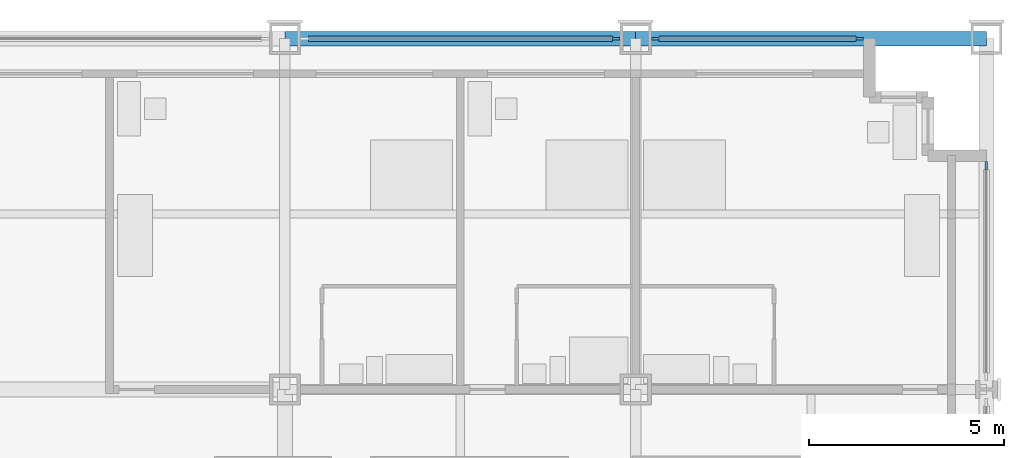
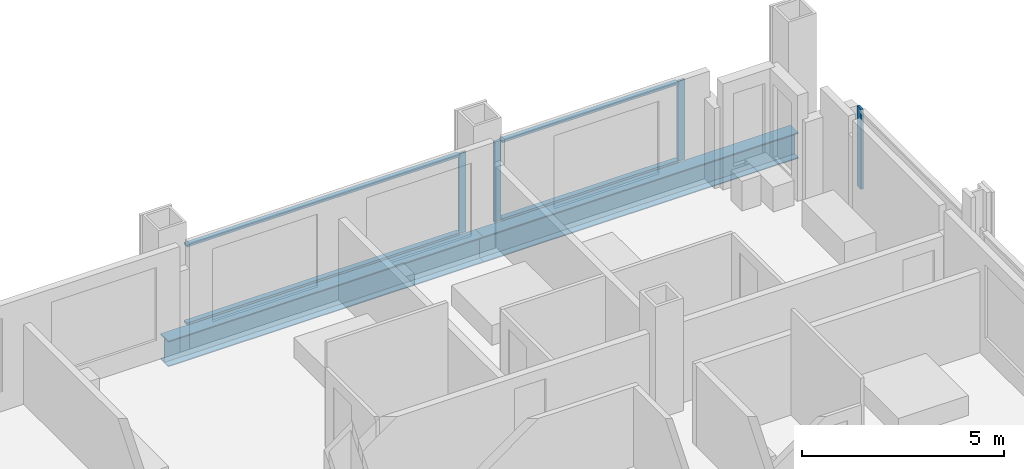
# One storey, part 8 of 18: 8 members, 2 beams, 3 elements without a shape of their own.
"""IFC4 building model written with IfcOpenShell, lengths in metres."""

from ifc_helpers import new_model, si_unit, direction, frame, origin, origin_2d, place, context, subcontext, project, spatial, rectangle, i_section, extrude, material, material_profile, profile_set, type_object, element, aggregate, save


model = new_model("IFC4")

# Units and contexts
model_context = context("Model", 3, precision=1e-05, world=origin(), true_north=direction((0.0, 1.0)))
body_context = subcontext(model_context, "Body", "Model", "MODEL_VIEW")
ifc_project = project(units=[si_unit("LENGTHUNIT", "METRE"), si_unit("AREAUNIT", "SQUARE_METRE"), si_unit("VOLUMEUNIT", "CUBIC_METRE"), si_unit("PLANEANGLEUNIT", "RADIAN"), si_unit("MASSUNIT", "GRAM", prefix="KILO")], contexts=[model_context])

# Site, building, storey
site_placement = place(None, origin())
site = spatial("IfcSite", under=ifc_project, at=site_placement, CompositionType="ELEMENT")
building_placement = place(site_placement, origin())
building = spatial("IfcBuilding", under=site, at=building_placement, Name="Loomwork Tower", CompositionType="ELEMENT")
storey_placement = place(building_placement, frame((0.0, 0.0, 62.0)))
storey = spatial("IfcBuildingStorey", under=building, at=storey_placement, Name="L15", CompositionType="ELEMENT", Elevation=62.0)

# Curtain wall, member
ifc_material_1 = material(Name="Aluminium curtain wall frame", Category="aluminium")
curtain_wall_type = type_object("IfcCurtainWallType", Name="Outer skin glazing hotel", PredefinedType="NOTDEFINED", material=ifc_material_1)
curtain_wall_1_placement = place(storey_placement, origin())
curtain_wall_1 = element("IfcCurtainWall", 1, at=curtain_wall_1_placement, inside=storey, type_object=curtain_wall_type, Name="Outer skin glazing hotel cw/N-36", PredefinedType="NOTDEFINED")
ifc_material_2 = material(Name="Aluminium curtain wall frame", Category="aluminium")
ifc_material_profile_1 = material_profile(ifc_material_2, rectangle(XDim=0.06494140625, YDim=0.199951171875, at=origin_2d()), Name="AL 65x200")
ifc_profile_set_1 = profile_set([ifc_material_profile_1], Name="Aluminium curtain wall frame")
member_type_1 = type_object("IfcMemberType", Name="Outer skin glazing hotel mullion", PredefinedType="MULLION", material=ifc_profile_set_1)
member_1_placement = place(storey_placement, frame((44.5, 36.0, 0.0), z_axis=(0.0, 0.0, 1.0), x_axis=(0.0, -1.0, 0.0)))
member_1 = element("IfcMember", 2, at=member_1_placement, type_object=member_type_1, Name="CW1 mullion 1", PredefinedType="MULLION", context=body_context, shape_type="SweptSolid", body=[
    extrude(rectangle(XDim=0.06494140625, YDim=0.199951171875, at=origin_2d()), origin(), (0.0, 0.0, 1.0), 2.420166015625),
])

# Curtain wall, members
curtain_wall_2_placement = place(storey_placement, origin())
curtain_wall_2 = element("IfcCurtainWall", 3, at=curtain_wall_2_placement, inside=storey, type_object=curtain_wall_type, Name="Outer skin glazing hotel cw/N-45", PredefinedType="NOTDEFINED")
member_2_placement = place(storey_placement, frame((50.75, 36.0, 0.0), z_axis=(0.0, 0.0, 1.0), x_axis=(0.0, -1.0, 0.0)))
member_2 = element("IfcMember", 4, at=member_2_placement, type_object=member_type_1, Name="CW1 mullion 1", PredefinedType="MULLION", context=body_context, shape_type="SweptSolid", body=[
    extrude(rectangle(XDim=0.06494140625, YDim=0.199951171875, at=origin_2d()), origin(), (0.0, 0.0, 1.0), 2.420166015625),
])
member_3_placement = place(storey_placement, frame((45.5, 36.0, 0.0), z_axis=(0.0, 0.0, 1.0), x_axis=(0.0, -1.0, 0.0)))
member_3 = element("IfcMember", 5, at=member_3_placement, type_object=member_type_1, Name="CW1 mullion 2", PredefinedType="MULLION", context=body_context, shape_type="SweptSolid", body=[
    extrude(rectangle(XDim=0.06494140625, YDim=0.199951171875, at=origin_2d()), origin(), (0.0, 0.0, 1.0), 2.420166015625),
])

# Curtain wall, member
curtain_wall_3_placement = place(storey_placement, origin())
curtain_wall_3 = element("IfcCurtainWall", 6, at=curtain_wall_3_placement, inside=storey, type_object=curtain_wall_type, Name="Outer skin glazing hotel cw/E-27", PredefinedType="NOTDEFINED")
member_4_placement = place(storey_placement, frame((54.0, 32.75, 0.0), z_axis=(0.0, 0.0, 1.0), x_axis=(-1.0, 0.0, 0.0)))
member_4 = element("IfcMember", 7, at=member_4_placement, type_object=member_type_1, Name="CW1 mullion 2", PredefinedType="MULLION", context=body_context, shape_type="SweptSolid", body=[
    extrude(rectangle(XDim=0.06494140625, YDim=0.199951171875, at=origin_2d()), origin(), (0.0, 0.0, 1.0), 2.420166015625),
])
aggregate(curtain_wall_3, [member_4])

# Member
ifc_material_3 = material(Name="Aluminium curtain wall frame", Category="aluminium")
ifc_material_profile_2 = material_profile(ifc_material_3, rectangle(XDim=0.14990234375, YDim=0.06494140625, at=origin_2d()), Name="AL 65x150")
ifc_profile_set_2 = profile_set([ifc_material_profile_2], Name="Aluminium curtain wall frame")
member_type_2 = type_object("IfcMemberType", Name="Outer skin glazing hotel transom", PredefinedType="USERDEFINED", material=ifc_profile_set_2)
member_5_placement = place(storey_placement, frame((44.39990234375, 36.0, 0.032470703125), z_axis=(-1.0, 0.0, 0.0), x_axis=(0.0, -1.0, 0.0)))
member_5 = element("IfcMember", 8, at=member_5_placement, type_object=member_type_2, Name="CW1 transom 1.1", ObjectType="TRANSOM", PredefinedType="USERDEFINED", context=body_context, shape_type="SweptSolid", body=[
    extrude(rectangle(XDim=0.14990234375, YDim=0.06494140625, at=origin_2d()), origin(), (0.0, 0.0, 1.0), 7.7998046875),
])

member_6_placement = place(storey_placement, frame((44.39990234375, 36.0, 2.3876953125), z_axis=(-1.0, 0.0, 0.0), x_axis=(0.0, -1.0, 0.0)))
member_6 = element("IfcMember", 9, at=member_6_placement, type_object=member_type_2, Name="CW1 transom 1.2", ObjectType="TRANSOM", PredefinedType="USERDEFINED", context=body_context, shape_type="SweptSolid", body=[
    extrude(rectangle(XDim=0.14990234375, YDim=0.06494140625, at=origin_2d()), origin(), (0.0, 0.0, 1.0), 7.7998046875),
])

aggregate(curtain_wall_1, [member_1, member_5, member_6])

member_7_placement = place(storey_placement, frame((50.64990234375, 36.0, 0.032470703125), z_axis=(-1.0, 0.0, 0.0), x_axis=(0.0, -1.0, 0.0)))
member_7 = element("IfcMember", 10, at=member_7_placement, type_object=member_type_2, Name="CW1 transom 1.1", ObjectType="TRANSOM", PredefinedType="USERDEFINED", context=body_context, shape_type="SweptSolid", body=[
    extrude(rectangle(XDim=0.14990234375, YDim=0.06494140625, at=origin_2d()), origin(), (0.0, 0.0, 1.0), 5.0498046875),
])

member_8_placement = place(storey_placement, frame((50.64990234375, 36.0, 2.3876953125), z_axis=(-1.0, 0.0, 0.0), x_axis=(0.0, -1.0, 0.0)))
member_8 = element("IfcMember", 11, at=member_8_placement, type_object=member_type_2, Name="CW1 transom 1.2", ObjectType="TRANSOM", PredefinedType="USERDEFINED", context=body_context, shape_type="SweptSolid", body=[
    extrude(rectangle(XDim=0.14990234375, YDim=0.06494140625, at=origin_2d()), origin(), (0.0, 0.0, 1.0), 5.0498046875),
])

aggregate(curtain_wall_2, [member_2, member_3, member_7, member_8])

# Beams
ifc_material_4 = material(Name="Steel ASTM A992", Category="steel")
ifc_material_profile_3 = material_profile(ifc_material_4, i_section(OverallWidth=0.381103515625, OverallDepth=0.77978515625, WebThickness=0.01806640625, FlangeThickness=0.0302734375, at=origin_2d()), Name="W30x191")
ifc_profile_set_3 = profile_set([ifc_material_profile_3], Name="Steel ASTM A992")
beam_type = type_object("IfcBeamType", Name="SPANDREL GIRDER W30x191", PredefinedType="SPANDREL", material=ifc_profile_set_3)
for number, where, z_axis, x_axis, name in (
    (12, (36.0, 36.0, -0.58984375), (1.0, 0.0, 0.0), (0.0, 1.0, 0.0), "Spandrel Girder H/6-H/7 L15"),
    (13, (45.0, 36.0, -0.58984375), (1.0, 0.0, 0.0), (0.0, 1.0, 0.0), "Spandrel Girder H/7-H/8 L15"),
):
    element("IfcBeam", number, at=place(storey_placement, frame(where, z_axis=z_axis, x_axis=x_axis)), inside=storey, type_object=beam_type, Name=name, PredefinedType="SPANDREL", context=body_context, shape_type="SweptSolid", body=[
        extrude(i_section(OverallWidth=0.381103515625, OverallDepth=0.77978515625, WebThickness=0.01806640625, FlangeThickness=0.0302734375, at=origin_2d()), origin(), (0.0, 0.0, 1.0), 9.0),
    ])

save(model, "model.ifc")
